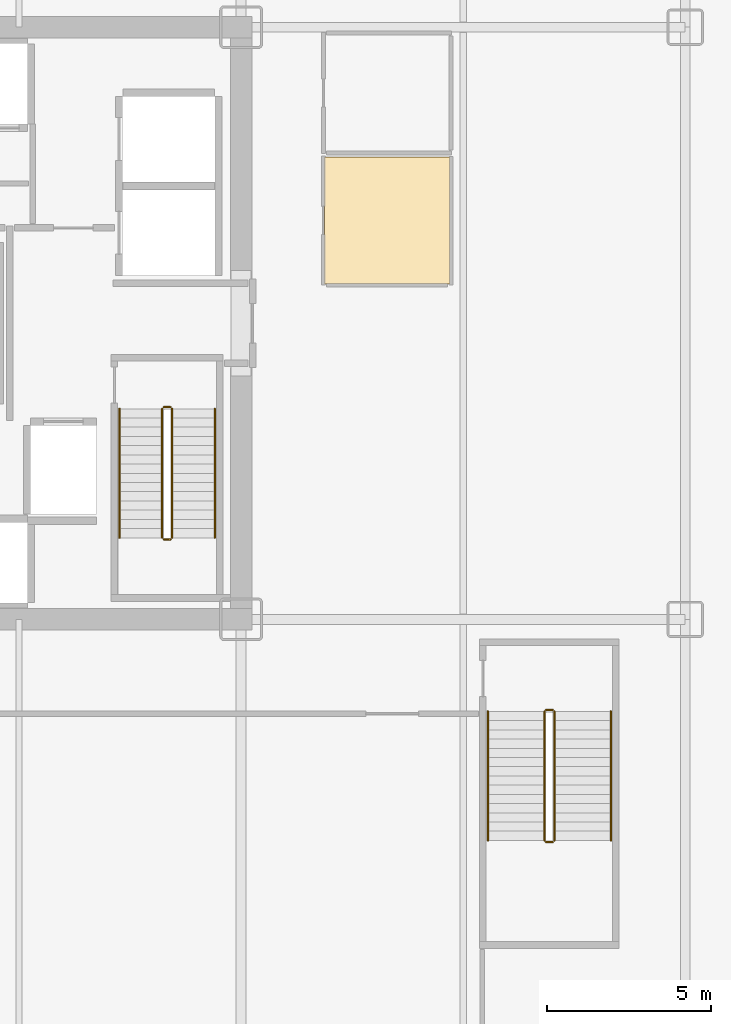
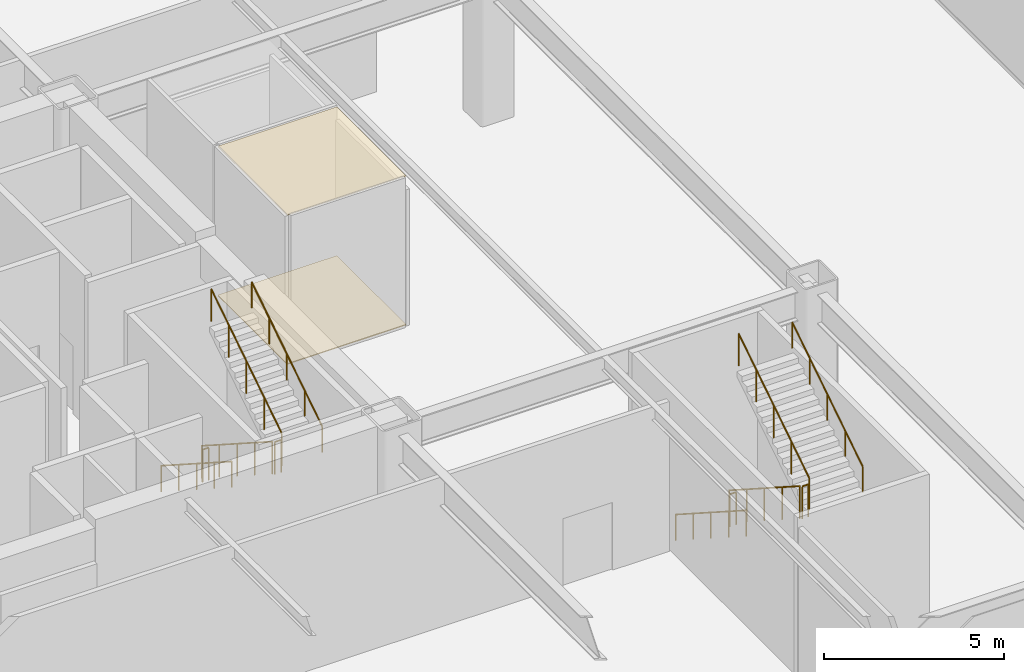
# One storey, part 22 of 24: 12 railings, 2 coverings.
"""IFC4 building model written with IfcOpenShell, lengths in metres."""

from ifc_helpers import new_model, si_unit, direction, frame, origin, origin_2d, place, context, subcontext, project, spatial, polyline, circle, outline, extrude, material, layer, layer_set, type_object, element, save


model = new_model("IFC4")

# Units and contexts
model_context = context("Model", 3, precision=1e-05, world=origin(), true_north=direction((0.0, 1.0)))
body_context = subcontext(model_context, "Body", "Model", "MODEL_VIEW")
ifc_project = project(units=[si_unit("LENGTHUNIT", "METRE"), si_unit("AREAUNIT", "SQUARE_METRE"), si_unit("VOLUMEUNIT", "CUBIC_METRE"), si_unit("PLANEANGLEUNIT", "RADIAN"), si_unit("MASSUNIT", "GRAM", prefix="KILO")], contexts=[model_context])

# Site, building, storey
site_placement = place(None, origin())
site = spatial("IfcSite", under=ifc_project, at=site_placement, CompositionType="ELEMENT")
building_placement = place(site_placement, origin())
building = spatial("IfcBuilding", under=site, at=building_placement, Name="Nefas-Gora Pilgrimage Tower", CompositionType="ELEMENT")
storey_placement = place(building_placement, frame((0.0, 0.0, 6.0)))
storey = spatial("IfcBuildingStorey", under=building, at=storey_placement, Name="L01", CompositionType="ELEMENT", Elevation=6.0)

# Coverings
ifc_material_1 = material(Name="Perforated gypsum acoustic ceiling")
ifc_layer_1 = layer(ifc_material_1, 0.02490234375)
ifc_layer_set_1 = layer_set([ifc_layer_1], Name="Perforated gypsum acoustic ceiling")
covering_type_1 = type_object("IfcCoveringType", Name="COV-CEIL-ACOUST", PredefinedType="CEILING", material=ifc_layer_set_1)
covering_1_placement = place(storey_placement, frame((0.0, 0.0, 5.054931640625)))
element("IfcCovering", 1, at=covering_1_placement, inside=storey, type_object=covering_type_1, Name="L01 Acoustic Suspended Ceiling (L01 Podium Public Washroom WC)", PredefinedType="CEILING", context=body_context, shape_type="SweptSolid", body=[
    extrude(outline(polyline([(13.780029296875, 5.050048828125), (13.780029296875, 1.199951171875), (17.60009765625, 1.199951171875), (17.60009765625, 5.050048828125), (13.780029296875, 5.050048828125)])), origin(), (0.0, 0.0, 1.0), 0.025146484375),
])
ifc_material_2 = material(Name="Honed granite stone flooring", Category="masonry")
ifc_layer_2 = layer(ifc_material_2, 0.030029296875)
ifc_layer_set_2 = layer_set([ifc_layer_2], Name="Honed granite stone flooring")
covering_type_2 = type_object("IfcCoveringType", Name="COV-FLOR-GRAN", PredefinedType="FLOORING", material=ifc_layer_set_2)
covering_2_placement = place(storey_placement, origin())
element("IfcCovering", 2, at=covering_2_placement, inside=storey, type_object=covering_type_2, Name="L01 Honed Granite Flooring (L01 Podium Public Washroom WC)", PredefinedType="FLOORING", context=body_context, shape_type="SweptSolid", body=[
    extrude(outline(polyline([(13.780029296875, 5.050048828125), (13.780029296875, 1.199951171875), (17.60009765625, 1.199951171875), (17.60009765625, 5.050048828125), (13.780029296875, 5.050048828125)])), origin(), (0.0, 0.0, 1.0), 0.030029296875),
])

# Railings
ifc_material_3 = material(Name="Painted galvanised steel", Category="steel")
railing_type_1 = type_object("IfcRailingType", Name="RLG-STR-GUARD-1100", PredefinedType="GUARDRAIL", material=ifc_material_3)
railing_1_placement = place(storey_placement, frame((8.85009765625, -2.60009765625, 0.179931640625)))
element("IfcRailing", 3, at=railing_1_placement, inside=storey, type_object=railing_type_1, Name="L01 ST-02 stair guard 1", PredefinedType="GUARDRAIL", context=body_context, shape_type="SweptSolid", body=[
    extrude(circle(Radius=0.02392578125, at=origin_2d()), frame((0.0, 0.0, 1.09619140625), z_axis=(0.0, -0.841171666519, 0.540768182723), x_axis=(1.0, 0.0, 0.0)), (0.0, 0.0, 1.0), 4.66015625),
    extrude(circle(Radius=0.02099609375, at=origin_2d()), origin(), (0.0, 0.0, 1.0), 1.072021484375),
    extrude(circle(Radius=0.02099609375, at=origin_2d()), frame((0.0, -0.97998046875, 0.6298828125)), (0.0, 0.0, 1.0), 1.072021484375),
    extrude(circle(Radius=0.02099609375, at=origin_2d()), frame((0.0, -1.9599609375, 1.260009765625)), (0.0, 0.0, 1.0), 1.072021484375),
    extrude(circle(Radius=0.02099609375, at=origin_2d()), frame((0.0, -2.93994140625, 1.89013671875)), (0.0, 0.0, 1.0), 1.072021484375),
    extrude(circle(Radius=0.02099609375, at=origin_2d()), frame((0.0, -3.919921875, 2.52001953125)), (0.0, 0.0, 1.0), 1.072021484375),
])
railing_2_placement = place(storey_placement, frame((8.89990234375, -6.570068359375, 2.699951171875)))
element("IfcRailing", 4, at=railing_2_placement, inside=storey, type_object=railing_type_1, Name="L01 ST-02 stair guard 2", PredefinedType="GUARDRAIL", context=body_context, shape_type="SweptSolid", body=[
    extrude(circle(Radius=0.02392578125, at=origin_2d()), frame((0.0, 0.0, 1.09619140625), z_axis=(1.0, 0.0, 0.0), x_axis=(0.0, 1.0, 0.0)), (0.0, 0.0, 1.0), 0.2001953125),
    extrude(circle(Radius=0.02099609375, at=origin_2d()), origin(), (0.0, 0.0, 1.0), 1.072021484375),
    extrude(circle(Radius=0.02099609375, at=origin_2d()), frame((0.2001953125, 0.0, 0.0)), (0.0, 0.0, 1.0), 1.072021484375),
])
railing_3_placement = place(storey_placement, frame((9.14990234375, -6.52001953125, 2.8798828125)))
element("IfcRailing", 5, at=railing_3_placement, inside=storey, type_object=railing_type_1, Name="L01 ST-02 stair guard 3", PredefinedType="GUARDRAIL", context=body_context, shape_type="SweptSolid", body=[
    extrude(circle(Radius=0.02392578125, at=origin_2d()), frame((0.0, 0.0, 1.09619140625), z_axis=(0.0, 0.841171666519, 0.540768182723), x_axis=(-1.0, 0.0, 0.0)), (0.0, 0.0, 1.0), 4.66015625),
    extrude(circle(Radius=0.02099609375, at=origin_2d()), origin(), (0.0, 0.0, 1.0), 1.072021484375),
    extrude(circle(Radius=0.02099609375, at=origin_2d()), frame((0.0, 0.97998046875, 0.6298828125)), (0.0, 0.0, 1.0), 1.072021484375),
    extrude(circle(Radius=0.02099609375, at=origin_2d()), frame((0.0, 1.9599609375, 1.260009765625)), (0.0, 0.0, 1.0), 1.072021484375),
    extrude(circle(Radius=0.02099609375, at=origin_2d()), frame((0.0, 2.93994140625, 1.89013671875)), (0.0, 0.0, 1.0), 1.072021484375),
    extrude(circle(Radius=0.02099609375, at=origin_2d()), frame((0.0, 3.919921875, 2.52001953125)), (0.0, 0.0, 1.0), 1.072021484375),
])
railing_4_placement = place(storey_placement, frame((8.89990234375, -2.550048828125, 0.0)))
element("IfcRailing", 6, at=railing_4_placement, inside=storey, type_object=railing_type_1, Name="L01 ST-02 stair guard 4", PredefinedType="GUARDRAIL", context=body_context, shape_type="SweptSolid", body=[
    extrude(circle(Radius=0.02392578125, at=origin_2d()), frame((0.0, 0.0, 1.09619140625), z_axis=(1.0, 0.0, 0.0), x_axis=(0.0, 1.0, 0.0)), (0.0, 0.0, 1.0), 0.2001953125),
    extrude(circle(Radius=0.02099609375, at=origin_2d()), origin(), (0.0, 0.0, 1.0), 1.072021484375),
    extrude(circle(Radius=0.02099609375, at=origin_2d()), frame((0.2001953125, 0.0, 0.0)), (0.0, 0.0, 1.0), 1.072021484375),
])
railing_5_placement = place(storey_placement, frame((20.469970703125, -11.800048828125, 0.179931640625)))
element("IfcRailing", 7, at=railing_5_placement, inside=storey, type_object=railing_type_1, Name="L01 ST-06 stair guard 1", PredefinedType="GUARDRAIL", context=body_context, shape_type="SweptSolid", body=[
    extrude(circle(Radius=0.02392578125, at=origin_2d()), frame((0.0, 0.0, 1.09619140625), z_axis=(0.0, -0.841171666519, 0.540768182723), x_axis=(1.0, 0.0, 0.0)), (0.0, 0.0, 1.0), 4.66015625),
    extrude(circle(Radius=0.02099609375, at=origin_2d()), origin(), (0.0, 0.0, 1.0), 1.072021484375),
    extrude(circle(Radius=0.02099609375, at=origin_2d()), frame((0.0, -0.97998046875, 0.6298828125)), (0.0, 0.0, 1.0), 1.072021484375),
    extrude(circle(Radius=0.02099609375, at=origin_2d()), frame((0.0, -1.9599609375, 1.260009765625)), (0.0, 0.0, 1.0), 1.072021484375),
    extrude(circle(Radius=0.02099609375, at=origin_2d()), frame((0.0, -2.93994140625, 1.89013671875)), (0.0, 0.0, 1.0), 1.072021484375),
    extrude(circle(Radius=0.02099609375, at=origin_2d()), frame((0.0, -3.919921875, 2.52001953125)), (0.0, 0.0, 1.0), 1.072021484375),
])
railing_6_placement = place(storey_placement, frame((20.52001953125, -15.77001953125, 2.699951171875)))
element("IfcRailing", 8, at=railing_6_placement, inside=storey, type_object=railing_type_1, Name="L01 ST-06 stair guard 2", PredefinedType="GUARDRAIL", context=body_context, shape_type="SweptSolid", body=[
    extrude(circle(Radius=0.02392578125, at=origin_2d()), frame((0.0, 0.0, 1.09619140625), z_axis=(1.0, 0.0, 0.0), x_axis=(0.0, 1.0, 0.0)), (0.0, 0.0, 1.0), 0.199951171875),
    extrude(circle(Radius=0.02099609375, at=origin_2d()), origin(), (0.0, 0.0, 1.0), 1.072021484375),
    extrude(circle(Radius=0.02099609375, at=origin_2d()), frame((0.199951171875, 0.0, 0.0)), (0.0, 0.0, 1.0), 1.072021484375),
])
railing_7_placement = place(storey_placement, frame((20.77001953125, -15.719970703125, 2.8798828125)))
element("IfcRailing", 9, at=railing_7_placement, inside=storey, type_object=railing_type_1, Name="L01 ST-06 stair guard 3", PredefinedType="GUARDRAIL", context=body_context, shape_type="SweptSolid", body=[
    extrude(circle(Radius=0.02392578125, at=origin_2d()), frame((0.0, 0.0, 1.09619140625), z_axis=(0.0, 0.841171666519, 0.540768182723), x_axis=(-1.0, 0.0, 0.0)), (0.0, 0.0, 1.0), 4.66015625),
    extrude(circle(Radius=0.02099609375, at=origin_2d()), origin(), (0.0, 0.0, 1.0), 1.072021484375),
    extrude(circle(Radius=0.02099609375, at=origin_2d()), frame((0.0, 0.97998046875, 0.6298828125)), (0.0, 0.0, 1.0), 1.072021484375),
    extrude(circle(Radius=0.02099609375, at=origin_2d()), frame((0.0, 1.9599609375, 1.260009765625)), (0.0, 0.0, 1.0), 1.072021484375),
    extrude(circle(Radius=0.02099609375, at=origin_2d()), frame((0.0, 2.93994140625, 1.89013671875)), (0.0, 0.0, 1.0), 1.072021484375),
    extrude(circle(Radius=0.02099609375, at=origin_2d()), frame((0.0, 3.919921875, 2.52001953125)), (0.0, 0.0, 1.0), 1.072021484375),
])
railing_8_placement = place(storey_placement, frame((20.52001953125, -11.75, 0.0)))
element("IfcRailing", 10, at=railing_8_placement, inside=storey, type_object=railing_type_1, Name="L01 ST-06 stair guard 4", PredefinedType="GUARDRAIL", context=body_context, shape_type="SweptSolid", body=[
    extrude(circle(Radius=0.02392578125, at=origin_2d()), frame((0.0, 0.0, 1.09619140625), z_axis=(1.0, 0.0, 0.0), x_axis=(0.0, 1.0, 0.0)), (0.0, 0.0, 1.0), 0.199951171875),
    extrude(circle(Radius=0.02099609375, at=origin_2d()), origin(), (0.0, 0.0, 1.0), 1.072021484375),
    extrude(circle(Radius=0.02099609375, at=origin_2d()), frame((0.199951171875, 0.0, 0.0)), (0.0, 0.0, 1.0), 1.072021484375),
])
ifc_material_4 = material(Name="Brushed stainless steel", Category="steel")
railing_type_2 = type_object("IfcRailingType", Name="RLG-STR-HAND-900", PredefinedType="HANDRAIL", material=ifc_material_4)
railing_9_placement = place(storey_placement, frame((7.550048828125, -2.60009765625, 0.179931640625)))
element("IfcRailing", 11, at=railing_9_placement, inside=storey, type_object=railing_type_2, Name="L01 ST-02 stair handrail 1", PredefinedType="HANDRAIL", context=body_context, shape_type="SweptSolid", body=[
    extrude(circle(Radius=0.02392578125, at=origin_2d()), frame((0.0, 0.0, 0.8759765625), z_axis=(0.0, -0.841171666519, 0.540768182723), x_axis=(1.0, 0.0, 0.0)), (0.0, 0.0, 1.0), 4.66015625),
    extrude(circle(Radius=0.02099609375, at=origin_2d()), origin(), (0.0, 0.0, 1.0), 0.851806640625),
    extrude(circle(Radius=0.02099609375, at=origin_2d()), frame((0.0, -0.97998046875, 0.6298828125)), (0.0, 0.0, 1.0), 0.851806640625),
    extrude(circle(Radius=0.02099609375, at=origin_2d()), frame((0.0, -1.9599609375, 1.260009765625)), (0.0, 0.0, 1.0), 0.851806640625),
    extrude(circle(Radius=0.02099609375, at=origin_2d()), frame((0.0, -2.93994140625, 1.89013671875)), (0.0, 0.0, 1.0), 0.851806640625),
    extrude(circle(Radius=0.02099609375, at=origin_2d()), frame((0.0, -3.919921875, 2.52001953125)), (0.0, 0.0, 1.0), 0.851806640625),
])
railing_10_placement = place(storey_placement, frame((10.449951171875, -6.52001953125, 2.8798828125)))
element("IfcRailing", 12, at=railing_10_placement, inside=storey, type_object=railing_type_2, Name="L01 ST-02 stair handrail 2", PredefinedType="HANDRAIL", context=body_context, shape_type="SweptSolid", body=[
    extrude(circle(Radius=0.02392578125, at=origin_2d()), frame((0.0, 0.0, 0.8759765625), z_axis=(0.0, 0.841171666519, 0.540768182723), x_axis=(-1.0, 0.0, 0.0)), (0.0, 0.0, 1.0), 4.66015625),
    extrude(circle(Radius=0.02099609375, at=origin_2d()), origin(), (0.0, 0.0, 1.0), 0.851806640625),
    extrude(circle(Radius=0.02099609375, at=origin_2d()), frame((0.0, 0.97998046875, 0.6298828125)), (0.0, 0.0, 1.0), 0.851806640625),
    extrude(circle(Radius=0.02099609375, at=origin_2d()), frame((0.0, 1.9599609375, 1.260009765625)), (0.0, 0.0, 1.0), 0.851806640625),
    extrude(circle(Radius=0.02099609375, at=origin_2d()), frame((0.0, 2.93994140625, 1.89013671875)), (0.0, 0.0, 1.0), 0.851806640625),
    extrude(circle(Radius=0.02099609375, at=origin_2d()), frame((0.0, 3.919921875, 2.52001953125)), (0.0, 0.0, 1.0), 0.851806640625),
])
railing_11_placement = place(storey_placement, frame((18.75, -11.800048828125, 0.179931640625)))
element("IfcRailing", 13, at=railing_11_placement, inside=storey, type_object=railing_type_2, Name="L01 ST-06 stair handrail 1", PredefinedType="HANDRAIL", context=body_context, shape_type="SweptSolid", body=[
    extrude(circle(Radius=0.02392578125, at=origin_2d()), frame((0.0, 0.0, 0.8759765625), z_axis=(0.0, -0.841171666519, 0.540768182723), x_axis=(1.0, 0.0, 0.0)), (0.0, 0.0, 1.0), 4.66015625),
    extrude(circle(Radius=0.02099609375, at=origin_2d()), origin(), (0.0, 0.0, 1.0), 0.851806640625),
    extrude(circle(Radius=0.02099609375, at=origin_2d()), frame((0.0, -0.97998046875, 0.6298828125)), (0.0, 0.0, 1.0), 0.851806640625),
    extrude(circle(Radius=0.02099609375, at=origin_2d()), frame((0.0, -1.9599609375, 1.260009765625)), (0.0, 0.0, 1.0), 0.851806640625),
    extrude(circle(Radius=0.02099609375, at=origin_2d()), frame((0.0, -2.93994140625, 1.89013671875)), (0.0, 0.0, 1.0), 0.851806640625),
    extrude(circle(Radius=0.02099609375, at=origin_2d()), frame((0.0, -3.919921875, 2.52001953125)), (0.0, 0.0, 1.0), 0.851806640625),
])
railing_12_placement = place(storey_placement, frame((22.489990234375, -15.719970703125, 2.8798828125)))
element("IfcRailing", 14, at=railing_12_placement, inside=storey, type_object=railing_type_2, Name="L01 ST-06 stair handrail 2", PredefinedType="HANDRAIL", context=body_context, shape_type="SweptSolid", body=[
    extrude(circle(Radius=0.02392578125, at=origin_2d()), frame((0.0, 0.0, 0.8759765625), z_axis=(0.0, 0.841171666519, 0.540768182723), x_axis=(-1.0, 0.0, 0.0)), (0.0, 0.0, 1.0), 4.66015625),
    extrude(circle(Radius=0.02099609375, at=origin_2d()), origin(), (0.0, 0.0, 1.0), 0.851806640625),
    extrude(circle(Radius=0.02099609375, at=origin_2d()), frame((0.0, 0.97998046875, 0.6298828125)), (0.0, 0.0, 1.0), 0.851806640625),
    extrude(circle(Radius=0.02099609375, at=origin_2d()), frame((0.0, 1.9599609375, 1.260009765625)), (0.0, 0.0, 1.0), 0.851806640625),
    extrude(circle(Radius=0.02099609375, at=origin_2d()), frame((0.0, 2.93994140625, 1.89013671875)), (0.0, 0.0, 1.0), 0.851806640625),
    extrude(circle(Radius=0.02099609375, at=origin_2d()), frame((0.0, 3.919921875, 2.52001953125)), (0.0, 0.0, 1.0), 0.851806640625),
])

save(model, "model.ifc")
